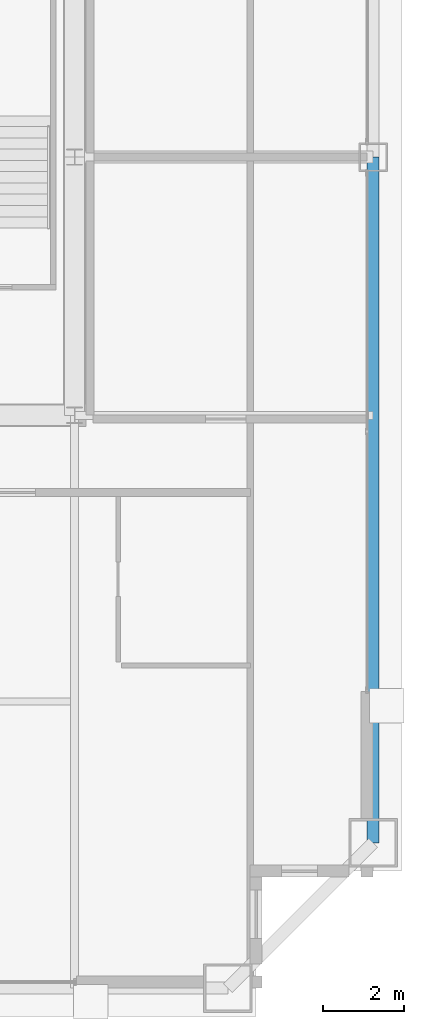
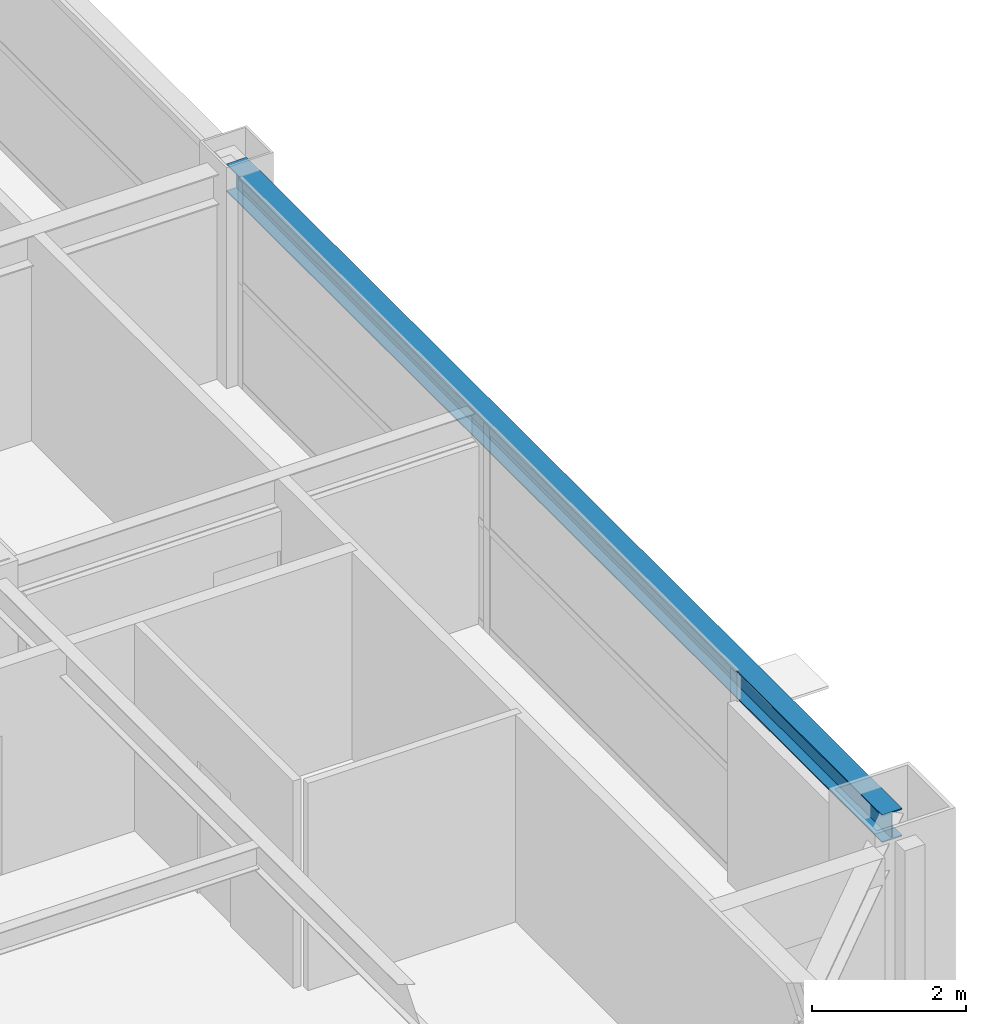
# One storey, part 18 of 36: 1 beam.
"""IFC4 building model written with IfcOpenShell, lengths in metres."""

from ifc_helpers import new_model, si_unit, direction, frame, origin, origin_2d, place, context, subcontext, project, spatial, i_section, extrude, source, transform, mapped, material, material_profile, profile_set, type_object, element, save


model = new_model("IFC4")

# Units and contexts
model_context = context("Model", 3, precision=1e-05, world=origin(), true_north=direction((0.0, 1.0)))
body_context = subcontext(model_context, "Body", "Model", "MODEL_VIEW")
ifc_project = project(units=[si_unit("LENGTHUNIT", "METRE"), si_unit("AREAUNIT", "SQUARE_METRE"), si_unit("VOLUMEUNIT", "CUBIC_METRE"), si_unit("PLANEANGLEUNIT", "RADIAN"), si_unit("MASSUNIT", "GRAM", prefix="KILO"), si_unit("THERMODYNAMICTEMPERATUREUNIT", "KELVIN"), si_unit("POWERUNIT", "WATT")], contexts=[model_context])

# Site, building, storey
site_placement = place(None, origin())
site = spatial("IfcSite", under=ifc_project, at=site_placement, CompositionType="ELEMENT")
building_placement = place(site_placement, origin())
building = spatial("IfcBuilding", under=site, at=building_placement, Name="Yuzanri Waterfront Tower", CompositionType="ELEMENT")
storey_placement = place(building_placement, frame((0.0, 0.0, 238.10009765625)))
storey = spatial("IfcBuildingStorey", under=building, at=storey_placement, Name="L63", CompositionType="ELEMENT", Elevation=238.10009765625)

# Beam
ifc_material = material(Name="Steel Q355B", Category="steel")
ifc_material_profile = material_profile(ifc_material, i_section(OverallWidth=0.300048828125, OverallDepth=0.43994140625, WebThickness=0.010986328125, FlangeThickness=0.01806640625, at=origin_2d()), Name="HM 440x300x11x18")
ifc_profile_set = profile_set([ifc_material_profile], Name="Steel Q355B")
beam_type = type_object("IfcBeamType", Name="Perimeter Spandrel Q355B HM 440x300", PredefinedType="SPANDREL", material=ifc_profile_set)
shared_shape = source(origin(), body_context, "Body", "SweptSolid", [
    extrude(i_section(OverallWidth=0.300048828125, OverallDepth=0.43994140625, WebThickness=0.010986328125, FlangeThickness=0.01806640625, at=origin_2d()), origin(), (0.0, 0.0, 1.0), 17.0),
])
beam_placement = place(storey_placement, frame((57.60009765625, 8.800048828125, 3.059814453125), z_axis=(0.0, 1.0, 0.0), x_axis=(-1.0, 0.0, 0.0)))
element("IfcBeam", 1, at=beam_placement, inside=storey, type_object=beam_type, Name="L63 Perimeter Spandrel E1-E2", PredefinedType="SPANDREL", context=body_context, shape_type="MappedRepresentation", body=[
    mapped(shared_shape, transform((0.0, 0.0, 0.0), scale=1.0)),
])

save(model, "model.ifc")
